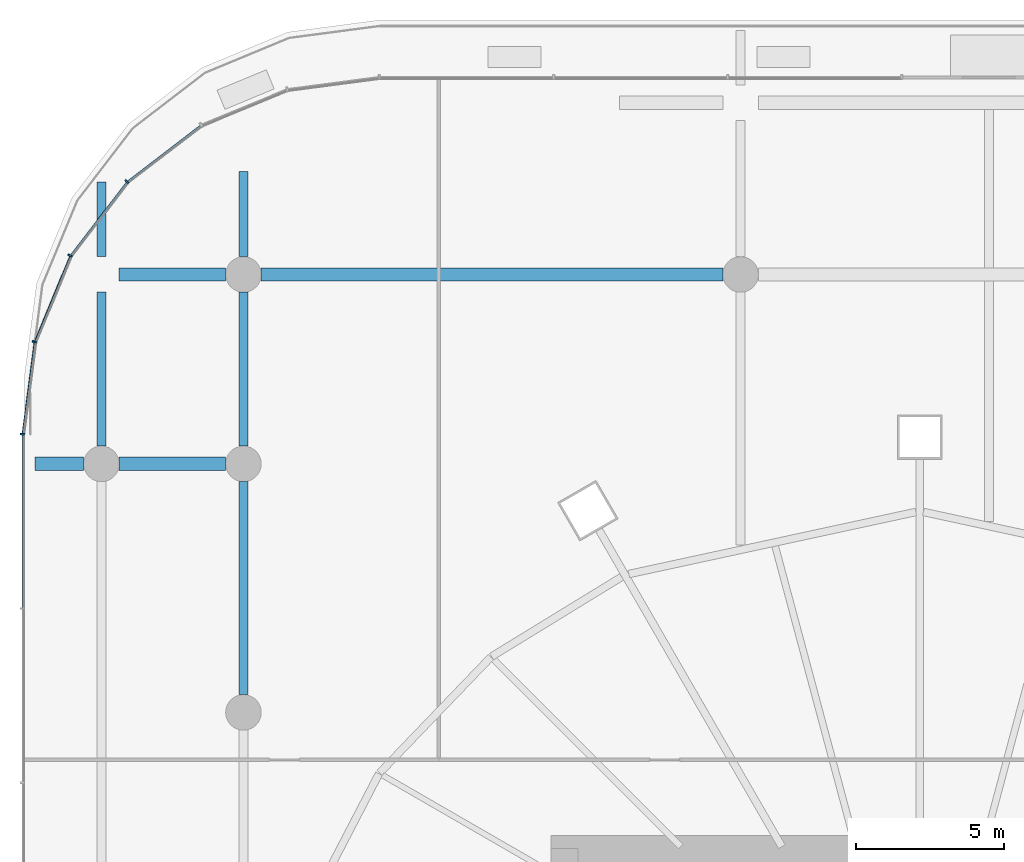
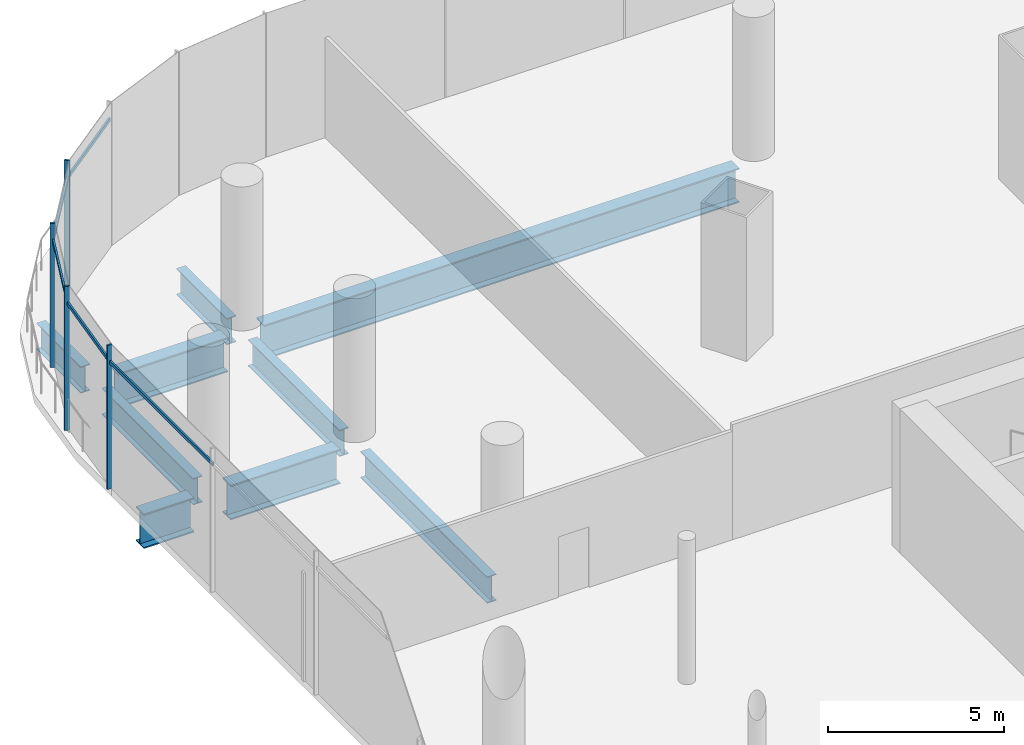
# One storey, part 22 of 51: 9 beams, 9 members, 1 element without a shape of its own.
"""IFC4 building model written with IfcOpenShell, lengths in metres."""

from ifc_helpers import new_model, si_unit, direction, frame, origin, origin_2d, place, context, subcontext, project, spatial, rectangle, i_section, extrude, material, material_profile, profile_set, type_object, element, aggregate, save


model = new_model("IFC4")

# Units and contexts
model_context = context("Model", 3, precision=1e-05, world=origin(), true_north=direction((0.0, 1.0)))
body_context = subcontext(model_context, "Body", "Model", "MODEL_VIEW")
ifc_project = project(units=[si_unit("LENGTHUNIT", "METRE"), si_unit("AREAUNIT", "SQUARE_METRE"), si_unit("VOLUMEUNIT", "CUBIC_METRE"), si_unit("PLANEANGLEUNIT", "RADIAN"), si_unit("MASSUNIT", "GRAM", prefix="KILO")], contexts=[model_context])

# Site, building, storey
site_placement = place(None, origin())
site = spatial("IfcSite", under=ifc_project, at=site_placement, CompositionType="ELEMENT")
building_placement = place(site_placement, origin())
building = spatial("IfcBuilding", under=site, at=building_placement, Name="Rimbun Link Towers", CompositionType="ELEMENT")
storey_placement = place(building_placement, frame((0.0, 0.0, 7.0)))
storey = spatial("IfcBuildingStorey", under=building, at=storey_placement, Name="L01", CompositionType="ELEMENT", Elevation=7.0)

# Curtain wall, members
ifc_material_1 = material(Name="Aluminium 6063-T6 and low-iron glass", Category="aluminium")
curtain_wall_type = type_object("IfcCurtainWallType", Name="CW3 podium shopfront", PredefinedType="NOTDEFINED", material=ifc_material_1)
curtain_wall_placement = place(storey_placement, origin())
curtain_wall = element("IfcCurtainWall", 1, at=curtain_wall_placement, inside=storey, type_object=curtain_wall_type, Name="CW3 L01 PD", PredefinedType="NOTDEFINED")
ifc_material_2 = material(Name="Aluminium 6063-T6", Category="aluminium")
ifc_material_profile_1 = material_profile(ifc_material_2, rectangle(XDim=0.14990234375, YDim=0.06005859375, at=origin_2d()), Name="MULLION 60X150")
ifc_profile_set_1 = profile_set([ifc_material_profile_1], Name="Aluminium 6063-T6")
member_type_1 = type_object("IfcMemberType", Name="CW3 mullion 60X150", PredefinedType="MULLION", material=ifc_profile_set_1)
member_1_placement = place(storey_placement, frame((-58.538330078125, 30.538330078125, 0.0), z_axis=(0.0, 0.0, 1.0), x_axis=(-0.707106781187, 0.707106781187, 0.0)))
member_1 = element("IfcMember", 2, at=member_1_placement, type_object=member_type_1, Name="CW3 mullion", PredefinedType="MULLION", context=body_context, shape_type="SweptSolid", body=[
    extrude(rectangle(XDim=0.14990234375, YDim=0.06005859375, at=origin_2d()), origin(), (0.0, 0.0, 1.0), 5.0),
])
member_2_placement = place(storey_placement, frame((-60.457275390625, 28.03759765625, 0.0), z_axis=(0.0, 0.0, 1.0), x_axis=(-0.866029040155, 0.499993701568, 0.0)))
member_2 = element("IfcMember", 3, at=member_2_placement, type_object=member_type_1, Name="CW3 mullion", PredefinedType="MULLION", context=body_context, shape_type="SweptSolid", body=[
    extrude(rectangle(XDim=0.14990234375, YDim=0.06005859375, at=origin_2d()), origin(), (0.0, 0.0, 1.0), 5.0),
])
member_3_placement = place(storey_placement, frame((-61.66357421875, 25.125244140625, 0.0), z_axis=(0.0, 0.0, 1.0), x_axis=(-0.965925910978, 0.258818729038, 0.0)))
member_3 = element("IfcMember", 4, at=member_3_placement, type_object=member_type_1, Name="CW3 mullion", PredefinedType="MULLION", context=body_context, shape_type="SweptSolid", body=[
    extrude(rectangle(XDim=0.14990234375, YDim=0.06005859375, at=origin_2d()), origin(), (0.0, 0.0, 1.0), 5.0),
])
member_4_placement = place(storey_placement, frame((-62.074951171875, 22.0048828125, 0.0), z_axis=(0.0, 0.0, 1.0), x_axis=(-0.997858781723, 0.065405288299, 0.0)))
member_4 = element("IfcMember", 5, at=member_4_placement, type_object=member_type_1, Name="CW3 mullion", PredefinedType="MULLION", context=body_context, shape_type="SweptSolid", body=[
    extrude(rectangle(XDim=0.14990234375, YDim=0.06005859375, at=origin_2d()), origin(), (0.0, 0.0, 1.0), 5.0),
])
ifc_material_3 = material(Name="Aluminium 6063-T6", Category="aluminium")
ifc_material_profile_2 = material_profile(ifc_material_3, rectangle(XDim=0.06005859375, YDim=0.1201171875, at=origin_2d()), Name="TRANSOM 60X120")
ifc_profile_set_2 = profile_set([ifc_material_profile_2], Name="Aluminium 6063-T6")
member_type_2 = type_object("IfcMemberType", Name="CW3 transom 60X120", PredefinedType="USERDEFINED", material=ifc_profile_set_2)
member_5_placement = place(storey_placement, frame((-58.494384765625, 30.54638671875, 4.39990234375), z_axis=(0.793344129687, 0.608773432314, 0.0), x_axis=(-0.608773432314, 0.793344129687, 0.0)))
member_5 = element("IfcMember", 6, at=member_5_placement, type_object=member_type_2, Name="CW3 transom", ObjectType="TRANSOM", PredefinedType="USERDEFINED", context=body_context, shape_type="SweptSolid", body=[
    extrude(rectangle(XDim=0.06005859375, YDim=0.1201171875, at=origin_2d()), origin(), (0.0, 0.0, 1.0), 3.07275390625),
])
member_6_placement = place(storey_placement, frame((-60.4169921875, 28.056640625, 4.39990234375), z_axis=(0.608773432314, 0.793344129687, 0.0), x_axis=(-0.793344129687, 0.608773432314, 0.0)))
member_6 = element("IfcMember", 7, at=member_6_placement, type_object=member_type_2, Name="CW3 transom", ObjectType="TRANSOM", PredefinedType="USERDEFINED", context=body_context, shape_type="SweptSolid", body=[
    extrude(rectangle(XDim=0.06005859375, YDim=0.1201171875, at=origin_2d()), origin(), (0.0, 0.0, 1.0), 3.07275390625),
])
member_7_placement = place(storey_placement, frame((-61.62939453125, 25.154296875, 4.39990234375), z_axis=(0.382679289053, 0.923881248716, 0.0), x_axis=(-0.923881248716, 0.382679289053, 0.0)))
member_7 = element("IfcMember", 8, at=member_7_placement, type_object=member_type_2, Name="CW3 transom", ObjectType="TRANSOM", PredefinedType="USERDEFINED", context=body_context, shape_type="SweptSolid", body=[
    extrude(rectangle(XDim=0.06005859375, YDim=0.1201171875, at=origin_2d()), origin(), (0.0, 0.0, 1.0), 3.072509765625),
])
member_8_placement = place(storey_placement, frame((-62.049560546875, 22.036865234375, 4.39990234375), z_axis=(0.130555231638, 0.991441037829, 0.0), x_axis=(-0.991441037829, 0.130555231638, 0.0)))
member_8 = element("IfcMember", 9, at=member_8_placement, type_object=member_type_2, Name="CW3 transom", ObjectType="TRANSOM", PredefinedType="USERDEFINED", context=body_context, shape_type="SweptSolid", body=[
    extrude(rectangle(XDim=0.06005859375, YDim=0.1201171875, at=origin_2d()), origin(), (0.0, 0.0, 1.0), 3.072509765625),
])
member_9_placement = place(storey_placement, frame((-62.053955078125, 16.14111328125, 4.39990234375), z_axis=(0.0, 1.0, 0.0), x_axis=(-1.0, 0.0, 0.0)))
member_9 = element("IfcMember", 10, at=member_9_placement, type_object=member_type_2, Name="CW3 transom", ObjectType="TRANSOM", PredefinedType="USERDEFINED", context=body_context, shape_type="SweptSolid", body=[
    extrude(rectangle(XDim=0.06005859375, YDim=0.1201171875, at=origin_2d()), origin(), (0.0, 0.0, 1.0), 5.828857421875),
])
aggregate(curtain_wall, [member_1, member_2, member_3, member_4, member_5, member_6, member_7, member_8, member_9])

# Beams
ifc_material_4 = material(Name="Steel S355J2", Category="steel")
ifc_material_profile_3 = material_profile(ifc_material_4, i_section(OverallWidth=0.449951171875, OverallDepth=1.199951171875, WebThickness=0.030029296875, FlangeThickness=0.044921875, at=origin_2d()), Name="PG 1200x450x30/45")
ifc_profile_set_3 = profile_set([ifc_material_profile_3], Name="Steel S355J2")
beam_type_1 = type_object("IfcBeamType", Name="PG 1200x450x30/45", PredefinedType="BEAM", material=ifc_profile_set_3)
beam_1_placement = place(storey_placement, frame((-61.649169921875, 21.0, -0.89990234375), z_axis=(1.0, 0.0, 0.0), x_axis=(0.0, 1.0, 0.0)))
element("IfcBeam", 11, at=beam_1_placement, inside=storey, type_object=beam_type_1, Name="Grid beam L01 +21.0", PredefinedType="BEAM", context=body_context, shape_type="SweptSolid", body=[
    extrude(i_section(OverallWidth=0.449951171875, OverallDepth=1.199951171875, WebThickness=0.030029296875, FlangeThickness=0.044921875, at=origin_2d()), origin(), (0.0, 0.0, 1.0), 1.649169921875),
])
for number, where, z_axis, x_axis, name in (
    (12, (-58.800048828125, 21.0, -0.89990234375), (1.0, 0.0, 0.0), (0.0, 1.0, 0.0), "Grid beam L01 +21.0"),
    (13, (-58.800048828125, 27.39990234375, -0.89990234375), (1.0, 0.0, 0.0), (0.0, 1.0, 0.0), "Grid beam L01 +27.4"),
):
    element("IfcBeam", number, at=place(storey_placement, frame(where, z_axis=z_axis, x_axis=x_axis)), inside=storey, type_object=beam_type_1, Name=name, PredefinedType="BEAM", context=body_context, shape_type="SweptSolid", body=[
        extrude(i_section(OverallWidth=0.449951171875, OverallDepth=1.199951171875, WebThickness=0.030029296875, FlangeThickness=0.044921875, at=origin_2d()), origin(), (0.0, 0.0, 1.0), 3.60009765625),
    ])
beam_2_placement = place(storey_placement, frame((-54.0, 27.39990234375, -0.89990234375), z_axis=(1.0, 0.0, 0.0), x_axis=(0.0, 1.0, 0.0)))
element("IfcBeam", 14, at=beam_2_placement, inside=storey, type_object=beam_type_1, Name="Grid beam L01 +27.4", PredefinedType="BEAM", context=body_context, shape_type="SweptSolid", body=[
    extrude(i_section(OverallWidth=0.449951171875, OverallDepth=1.199951171875, WebThickness=0.030029296875, FlangeThickness=0.044921875, at=origin_2d()), origin(), (0.0, 0.0, 1.0), 15.60009765625),
])
ifc_material_5 = material(Name="Steel S355J2", Category="steel")
ifc_material_profile_4 = material_profile(ifc_material_5, i_section(OverallWidth=0.305419921875, OverallDepth=0.91845703125, WebThickness=0.017333984375, FlangeThickness=0.02783203125, at=origin_2d()), Name="UB 914x305x253")
ifc_profile_set_4 = profile_set([ifc_material_profile_4], Name="Steel S355J2")
beam_type_2 = type_object("IfcBeamType", Name="UB 914x305x253", PredefinedType="BEAM", material=ifc_profile_set_4)
beam_3_placement = place(storey_placement, frame((-59.39990234375, 21.60009765625, -0.75927734375), z_axis=(0.0, 1.0, 0.0), x_axis=(-1.0, 0.0, 0.0)))
element("IfcBeam", 15, at=beam_3_placement, inside=storey, type_object=beam_type_2, Name="Grid beam L01 -59.4", PredefinedType="BEAM", context=body_context, shape_type="SweptSolid", body=[
    extrude(i_section(OverallWidth=0.305419921875, OverallDepth=0.91845703125, WebThickness=0.017333984375, FlangeThickness=0.02783203125, at=origin_2d()), origin(), (0.0, 0.0, 1.0), 5.199951171875),
])
beam_4_placement = place(storey_placement, frame((-59.39990234375, 28.0, -0.75927734375), z_axis=(0.0, 1.0, 0.0), x_axis=(-1.0, 0.0, 0.0)))
element("IfcBeam", 16, at=beam_4_placement, inside=storey, type_object=beam_type_2, Name="Grid beam L01 -59.4", PredefinedType="BEAM", context=body_context, shape_type="SweptSolid", body=[
    extrude(i_section(OverallWidth=0.305419921875, OverallDepth=0.91845703125, WebThickness=0.017333984375, FlangeThickness=0.02783203125, at=origin_2d()), origin(), (0.0, 0.0, 1.0), 2.518310546875),
])
beam_5_placement = place(storey_placement, frame((-54.60009765625, 13.199951171875, -0.75927734375), z_axis=(0.0, 1.0, 0.0), x_axis=(-1.0, 0.0, 0.0)))
element("IfcBeam", 17, at=beam_5_placement, inside=storey, type_object=beam_type_2, Name="Grid beam L01 -54.6", PredefinedType="BEAM", context=body_context, shape_type="SweptSolid", body=[
    extrude(i_section(OverallWidth=0.305419921875, OverallDepth=0.91845703125, WebThickness=0.017333984375, FlangeThickness=0.02783203125, at=origin_2d()), origin(), (0.0, 0.0, 1.0), 7.199951171875),
])
beam_6_placement = place(storey_placement, frame((-54.60009765625, 21.60009765625, -0.75927734375), z_axis=(0.0, 1.0, 0.0), x_axis=(-1.0, 0.0, 0.0)))
element("IfcBeam", 18, at=beam_6_placement, inside=storey, type_object=beam_type_2, Name="Grid beam L01 -54.6", PredefinedType="BEAM", context=body_context, shape_type="SweptSolid", body=[
    extrude(i_section(OverallWidth=0.305419921875, OverallDepth=0.91845703125, WebThickness=0.017333984375, FlangeThickness=0.02783203125, at=origin_2d()), origin(), (0.0, 0.0, 1.0), 5.199951171875),
])
beam_7_placement = place(storey_placement, frame((-54.60009765625, 28.0, -0.75927734375), z_axis=(0.0, 1.0, 0.0), x_axis=(-1.0, 0.0, 0.0)))
element("IfcBeam", 19, at=beam_7_placement, inside=storey, type_object=beam_type_2, Name="Grid beam L01 -54.6", PredefinedType="BEAM", context=body_context, shape_type="SweptSolid", body=[
    extrude(i_section(OverallWidth=0.305419921875, OverallDepth=0.91845703125, WebThickness=0.017333984375, FlangeThickness=0.02783203125, at=origin_2d()), origin(), (0.0, 0.0, 1.0), 2.875),
])

save(model, "model.ifc")
